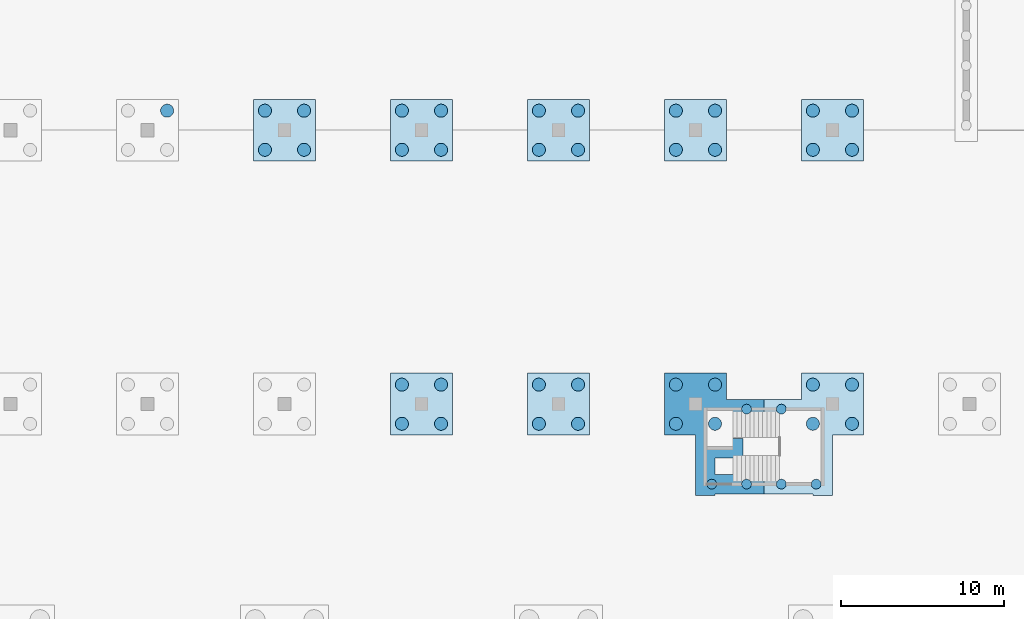
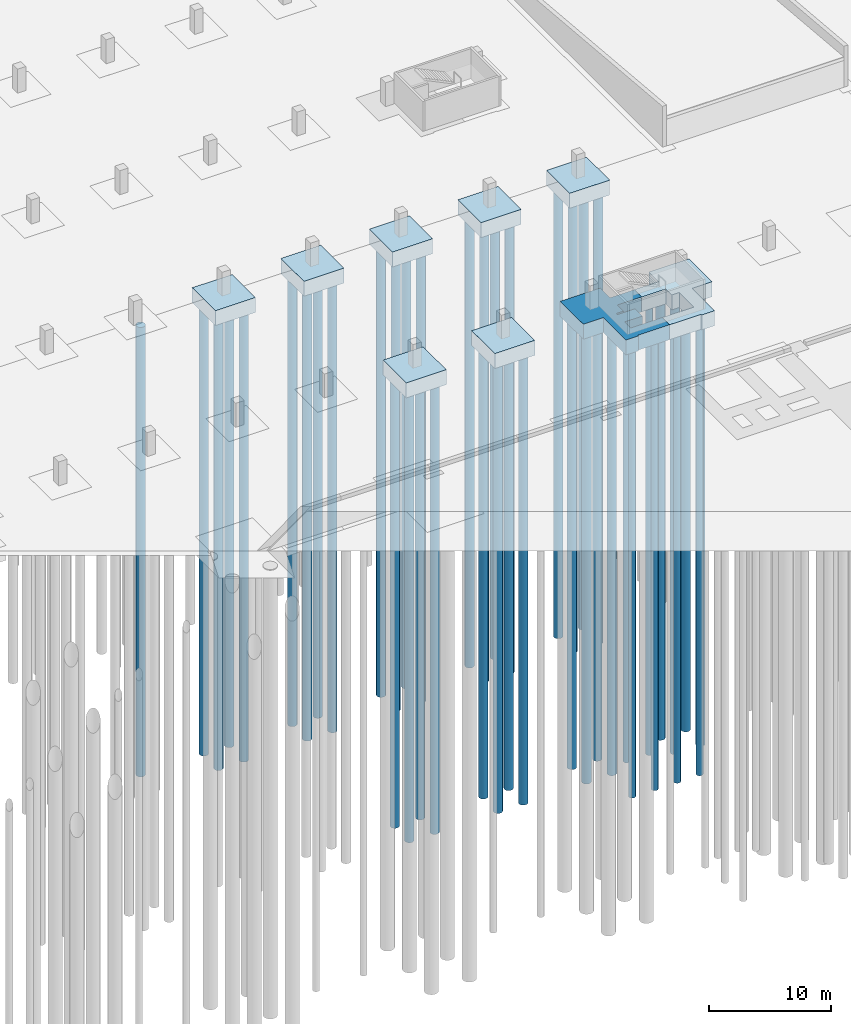
# One storey, part 18 of 67: 43 piles, 9 footings.
"""IFC4 building model written with IfcOpenShell, lengths in metres."""

from ifc_helpers import new_model, si_unit, direction, frame, origin, origin_2d, place, context, subcontext, project, spatial, polyline, circle, outline, extrude, material, material_profile, profile_set, type_object, element, save


model = new_model("IFC4")

# Units and contexts
model_context = context("Model", 3, precision=1e-05, world=origin(), true_north=direction((0.0, 1.0)))
body_context = subcontext(model_context, "Body", "Model", "MODEL_VIEW")
ifc_project = project(units=[si_unit("LENGTHUNIT", "METRE"), si_unit("AREAUNIT", "SQUARE_METRE"), si_unit("VOLUMEUNIT", "CUBIC_METRE"), si_unit("PLANEANGLEUNIT", "RADIAN"), si_unit("MASSUNIT", "GRAM", prefix="KILO")], contexts=[model_context])

# Site, building, storey
site_placement = place(None, origin())
site = spatial("IfcSite", under=ifc_project, at=site_placement, CompositionType="ELEMENT")
building_placement = place(site_placement, origin())
building = spatial("IfcBuilding", under=site, at=building_placement, Name="Rain Tree Exposition and Congress Centre", CompositionType="ELEMENT")
storey_placement = place(building_placement, frame((0.0, 0.0, -3.0)))
storey = spatial("IfcBuildingStorey", under=building, at=storey_placement, Name="B1", CompositionType="ELEMENT", Elevation=-3.0)

# Piles
ifc_material_1 = material(Name="Concrete C35/45", Category="concrete")
ifc_material_profile_1 = material_profile(ifc_material_1, circle(Radius=0.300048828125, at=origin_2d()), Name="D600")
ifc_profile_set_1 = profile_set([ifc_material_profile_1], Name="Concrete C35/45")
pile_type_1 = type_object("IfcPileType", Name="Bored pile D600", PredefinedType="BORED", material=ifc_profile_set_1)
for number, where, z_axis, x_axis, name in (
    (1, (236.199951171875, 213.5, -1.425048828125), (0.0, 0.0, -1.0), (1.0, 0.0, 0.0), "Bored pile 1400"),
    (2, (238.333251953125, 213.5, -1.425048828125), (0.0, 0.0, -1.0), (1.0, 0.0, 0.0), "Bored pile 1403"),
    (3, (238.333251953125, 218.10009765625, -1.425048828125), (0.0, 0.0, -1.0), (1.0, 0.0, 0.0), "Bored pile 1404"),
    (4, (240.466796875, 213.5, -1.425048828125), (0.0, 0.0, -1.0), (1.0, 0.0, 0.0), "Bored pile 1405"),
    (5, (240.466796875, 218.10009765625, -1.425048828125), (0.0, 0.0, -1.0), (1.0, 0.0, 0.0), "Bored pile 1406"),
    (6, (242.60009765625, 213.5, -1.425048828125), (0.0, 0.0, -1.0), (1.0, 0.0, 0.0), "Bored pile 1409"),
):
    element("IfcPile", number, at=place(storey_placement, frame(where, z_axis=z_axis, x_axis=x_axis)), inside=storey, type_object=pile_type_1, Name=name, PredefinedType="BORED", context=body_context, shape_type="SweptSolid", body=[
        extrude(circle(Radius=0.300048828125, at=origin_2d()), origin(), (0.0, 0.0, 1.0), 45.074951171875),
    ])
ifc_material_2 = material(Name="Concrete C35/45", Category="concrete")
ifc_material_profile_2 = material_profile(ifc_material_2, circle(Radius=0.39990234375, at=origin_2d()), Name="D800")
ifc_profile_set_2 = profile_set([ifc_material_profile_2], Name="Concrete C35/45")
pile_type_2 = type_object("IfcPileType", Name="Bored pile D800", PredefinedType="BORED", material=ifc_profile_set_2)
for number, where, z_axis, x_axis, name in (
    (7, (217.199951171875, 217.199951171875, -1.425048828125), (0.0, 0.0, -1.0), (1.0, 0.0, 0.0), "Bored pile 1178"),
    (8, (219.60009765625, 217.199951171875, -1.425048828125), (0.0, 0.0, -1.0), (1.0, 0.0, 0.0), "Bored pile 1179"),
    (9, (217.199951171875, 219.60009765625, -1.425048828125), (0.0, 0.0, -1.0), (1.0, 0.0, 0.0), "Bored pile 1180"),
    (10, (219.60009765625, 219.60009765625, -1.425048828125), (0.0, 0.0, -1.0), (1.0, 0.0, 0.0), "Bored pile 1181"),
    (11, (202.800048828125, 236.39990234375, -1.425048828125), (0.0, 0.0, -1.0), (1.0, 0.0, 0.0), "Bored pile 1197"),
    (12, (217.199951171875, 234.0, -1.425048828125), (0.0, 0.0, -1.0), (1.0, 0.0, 0.0), "Bored pile 1214"),
    (13, (219.60009765625, 234.0, -1.425048828125), (0.0, 0.0, -1.0), (1.0, 0.0, 0.0), "Bored pile 1215"),
    (14, (217.199951171875, 236.39990234375, -1.425048828125), (0.0, 0.0, -1.0), (1.0, 0.0, 0.0), "Bored pile 1216"),
    (15, (219.60009765625, 236.39990234375, -1.425048828125), (0.0, 0.0, -1.0), (1.0, 0.0, 0.0), "Bored pile 1217"),
    (16, (208.800048828125, 234.0, -1.425048828125), (0.0, 0.0, -1.0), (1.0, 0.0, 0.0), "Bored pile 1218"),
    (17, (211.199951171875, 234.0, -1.425048828125), (0.0, 0.0, -1.0), (1.0, 0.0, 0.0), "Bored pile 1219"),
    (18, (208.800048828125, 236.39990234375, -1.425048828125), (0.0, 0.0, -1.0), (1.0, 0.0, 0.0), "Bored pile 1220"),
    (19, (211.199951171875, 236.39990234375, -1.425048828125), (0.0, 0.0, -1.0), (1.0, 0.0, 0.0), "Bored pile 1221"),
    (20, (234.0, 217.199951171875, -1.425048828125), (0.0, 0.0, -1.0), (1.0, 0.0, 0.0), "Bored pile 1398"),
    (21, (234.0, 219.60009765625, -1.425048828125), (0.0, 0.0, -1.0), (1.0, 0.0, 0.0), "Bored pile 1399"),
    (22, (236.39990234375, 217.199951171875, -1.425048828125), (0.0, 0.0, -1.0), (1.0, 0.0, 0.0), "Bored pile 1401"),
    (23, (236.39990234375, 219.60009765625, -1.425048828125), (0.0, 0.0, -1.0), (1.0, 0.0, 0.0), "Bored pile 1402"),
    (24, (242.39990234375, 217.199951171875, -1.425048828125), (0.0, 0.0, -1.0), (1.0, 0.0, 0.0), "Bored pile 1407"),
    (25, (242.39990234375, 219.60009765625, -1.425048828125), (0.0, 0.0, -1.0), (1.0, 0.0, 0.0), "Bored pile 1408"),
    (26, (244.800048828125, 217.199951171875, -1.425048828125), (0.0, 0.0, -1.0), (1.0, 0.0, 0.0), "Bored pile 1410"),
    (27, (244.800048828125, 219.60009765625, -1.425048828125), (0.0, 0.0, -1.0), (1.0, 0.0, 0.0), "Bored pile 1411"),
    (28, (225.60009765625, 217.199951171875, -1.425048828125), (0.0, 0.0, -1.0), (1.0, 0.0, 0.0), "Bored pile 1420"),
    (29, (228.0, 217.199951171875, -1.425048828125), (0.0, 0.0, -1.0), (1.0, 0.0, 0.0), "Bored pile 1421"),
    (30, (225.60009765625, 219.60009765625, -1.425048828125), (0.0, 0.0, -1.0), (1.0, 0.0, 0.0), "Bored pile 1422"),
    (31, (228.0, 219.60009765625, -1.425048828125), (0.0, 0.0, -1.0), (1.0, 0.0, 0.0), "Bored pile 1423"),
    (32, (242.39990234375, 234.0, -1.425048828125), (0.0, 0.0, -1.0), (1.0, 0.0, 0.0), "Bored pile 1428"),
    (33, (244.800048828125, 234.0, -1.425048828125), (0.0, 0.0, -1.0), (1.0, 0.0, 0.0), "Bored pile 1429"),
    (34, (242.39990234375, 236.39990234375, -1.425048828125), (0.0, 0.0, -1.0), (1.0, 0.0, 0.0), "Bored pile 1430"),
    (35, (244.800048828125, 236.39990234375, -1.425048828125), (0.0, 0.0, -1.0), (1.0, 0.0, 0.0), "Bored pile 1431"),
    (36, (225.60009765625, 234.0, -1.425048828125), (0.0, 0.0, -1.0), (1.0, 0.0, 0.0), "Bored pile 1432"),
    (37, (228.0, 234.0, -1.425048828125), (0.0, 0.0, -1.0), (1.0, 0.0, 0.0), "Bored pile 1433"),
    (38, (225.60009765625, 236.39990234375, -1.425048828125), (0.0, 0.0, -1.0), (1.0, 0.0, 0.0), "Bored pile 1434"),
    (39, (228.0, 236.39990234375, -1.425048828125), (0.0, 0.0, -1.0), (1.0, 0.0, 0.0), "Bored pile 1435"),
    (40, (234.0, 234.0, -1.425048828125), (0.0, 0.0, -1.0), (1.0, 0.0, 0.0), "Bored pile 1436"),
    (41, (236.39990234375, 234.0, -1.425048828125), (0.0, 0.0, -1.0), (1.0, 0.0, 0.0), "Bored pile 1437"),
    (42, (234.0, 236.39990234375, -1.425048828125), (0.0, 0.0, -1.0), (1.0, 0.0, 0.0), "Bored pile 1438"),
    (43, (236.39990234375, 236.39990234375, -1.425048828125), (0.0, 0.0, -1.0), (1.0, 0.0, 0.0), "Bored pile 1439"),
):
    element("IfcPile", number, at=place(storey_placement, frame(where, z_axis=z_axis, x_axis=x_axis)), inside=storey, type_object=pile_type_2, Name=name, PredefinedType="BORED", context=body_context, shape_type="SweptSolid", body=[
        extrude(circle(Radius=0.39990234375, at=origin_2d()), origin(), (0.0, 0.0, 1.0), 45.074951171875),
    ])

# Footings
ifc_material_3 = material(Name="Concrete C35/45", Category="concrete")
footing_type_1 = type_object("IfcFootingType", Name="Pile cap 1500 thick", PredefinedType="PILE_CAP", material=ifc_material_3)
footing_1_placement = place(storey_placement, frame((0.0, 0.0, -1.5)))
element("IfcFooting", 44, at=footing_1_placement, inside=storey, type_object=footing_type_1, Name="Pile cap 231", PredefinedType="PILE_CAP", context=body_context, shape_type="SweptSolid", body=[
    extrude(outline(polyline([(220.300048828125, 216.5), (220.300048828125, 220.300048828125), (216.5, 220.300048828125), (216.5, 216.5), (220.300048828125, 216.5)])), origin(), (0.0, 0.0, 1.0), 1.5),
])
footing_2_placement = place(storey_placement, frame((0.0, 0.0, -1.5)))
element("IfcFooting", 45, at=footing_2_placement, inside=storey, type_object=footing_type_1, Name="Pile cap 240", PredefinedType="PILE_CAP", context=body_context, shape_type="SweptSolid", body=[
    extrude(outline(polyline([(220.300048828125, 233.300048828125), (220.300048828125, 237.10009765625), (216.5, 237.10009765625), (216.5, 233.300048828125), (220.300048828125, 233.300048828125)])), origin(), (0.0, 0.0, 1.0), 1.5),
])
footing_3_placement = place(storey_placement, frame((0.0, 0.0, -1.5)))
element("IfcFooting", 46, at=footing_3_placement, inside=storey, type_object=footing_type_1, Name="Pile cap 241", PredefinedType="PILE_CAP", context=body_context, shape_type="SweptSolid", body=[
    extrude(outline(polyline([(211.89990234375, 233.300048828125), (211.89990234375, 237.10009765625), (208.10009765625, 237.10009765625), (208.10009765625, 233.300048828125), (211.89990234375, 233.300048828125)])), origin(), (0.0, 0.0, 1.0), 1.5),
])
footing_4_placement = place(storey_placement, frame((0.0, 0.0, -1.5)))
element("IfcFooting", 47, at=footing_4_placement, inside=storey, type_object=footing_type_1, Name="Pile cap 280", PredefinedType="PILE_CAP", context=body_context, shape_type="SweptSolid", body=[
    extrude(outline(polyline([(228.699951171875, 216.5), (228.699951171875, 220.300048828125), (224.89990234375, 220.300048828125), (224.89990234375, 216.5), (228.699951171875, 216.5)])), origin(), (0.0, 0.0, 1.0), 1.5),
])
footing_5_placement = place(storey_placement, frame((0.0, 0.0, -1.5)))
element("IfcFooting", 48, at=footing_5_placement, inside=storey, type_object=footing_type_1, Name="Pile cap 282", PredefinedType="PILE_CAP", context=body_context, shape_type="SweptSolid", body=[
    extrude(outline(polyline([(245.5, 233.300048828125), (245.5, 237.10009765625), (241.699951171875, 237.10009765625), (241.699951171875, 233.300048828125), (245.5, 233.300048828125)])), origin(), (0.0, 0.0, 1.0), 1.5),
])
footing_6_placement = place(storey_placement, frame((0.0, 0.0, -1.5)))
element("IfcFooting", 49, at=footing_6_placement, inside=storey, type_object=footing_type_1, Name="Pile cap 283", PredefinedType="PILE_CAP", context=body_context, shape_type="SweptSolid", body=[
    extrude(outline(polyline([(228.699951171875, 233.300048828125), (228.699951171875, 237.10009765625), (224.89990234375, 237.10009765625), (224.89990234375, 233.300048828125), (228.699951171875, 233.300048828125)])), origin(), (0.0, 0.0, 1.0), 1.5),
])
footing_7_placement = place(storey_placement, frame((0.0, 0.0, -1.5)))
element("IfcFooting", 50, at=footing_7_placement, inside=storey, type_object=footing_type_1, Name="Pile cap 284", PredefinedType="PILE_CAP", context=body_context, shape_type="SweptSolid", body=[
    extrude(outline(polyline([(237.10009765625, 233.300048828125), (237.10009765625, 237.10009765625), (233.300048828125, 237.10009765625), (233.300048828125, 233.300048828125), (237.10009765625, 233.300048828125)])), origin(), (0.0, 0.0, 1.0), 1.5),
])
ifc_material_4 = material(Name="Concrete C35/45", Category="concrete")
footing_type_2 = type_object("IfcFootingType", Name="Strip footing 1500 thick", PredefinedType="STRIP_FOOTING", material=ifc_material_4)
footing_8_placement = place(storey_placement, frame((0.0, 0.0, -1.5)))
element("IfcFooting", 51, at=footing_8_placement, inside=storey, type_object=footing_type_2, Name="Strip footing 038", PredefinedType="STRIP_FOOTING", context=body_context, shape_type="SweptSolid", body=[
    extrude(outline(polyline([(236.39990234375, 212.800048828125), (236.39990234375, 212.89990234375), (239.39990234375, 212.89990234375), (239.39990234375, 214.10009765625), (236.39990234375, 214.10009765625), (236.39990234375, 215.10009765625), (238.10009765625, 215.10009765625), (238.10009765625, 216.300048828125), (237.5, 216.300048828125), (236.39990234375, 216.300048828125), (236.39990234375, 216.5), (237.10009765625, 216.5), (237.10009765625, 217.5), (239.39990234375, 217.5), (239.39990234375, 218.699951171875), (237.10009765625, 218.699951171875), (237.10009765625, 220.300048828125), (233.300048828125, 220.300048828125), (233.300048828125, 216.5), (235.199951171875, 216.5), (235.199951171875, 212.800048828125), (236.39990234375, 212.800048828125)])), origin(), (0.0, 0.0, 1.0), 1.5),
])
footing_9_placement = place(storey_placement, frame((0.0, 0.0, -1.5)))
element("IfcFooting", 52, at=footing_9_placement, inside=storey, type_object=footing_type_2, Name="Strip footing 039", PredefinedType="STRIP_FOOTING", context=body_context, shape_type="SweptSolid", body=[
    extrude(outline(polyline([(241.699951171875, 218.699951171875), (239.39990234375, 218.699951171875), (239.39990234375, 217.5), (241.699951171875, 217.5), (241.699951171875, 216.5), (242.39990234375, 216.5), (242.39990234375, 214.10009765625), (239.39990234375, 214.10009765625), (239.39990234375, 212.89990234375), (242.39990234375, 212.89990234375), (242.39990234375, 212.800048828125), (243.60009765625, 212.800048828125), (243.60009765625, 213.39990234375), (243.60009765625, 216.5), (245.5, 216.5), (245.5, 220.300048828125), (241.699951171875, 220.300048828125), (241.699951171875, 218.699951171875)])), origin(), (0.0, 0.0, 1.0), 1.5),
])

save(model, "model.ifc")
